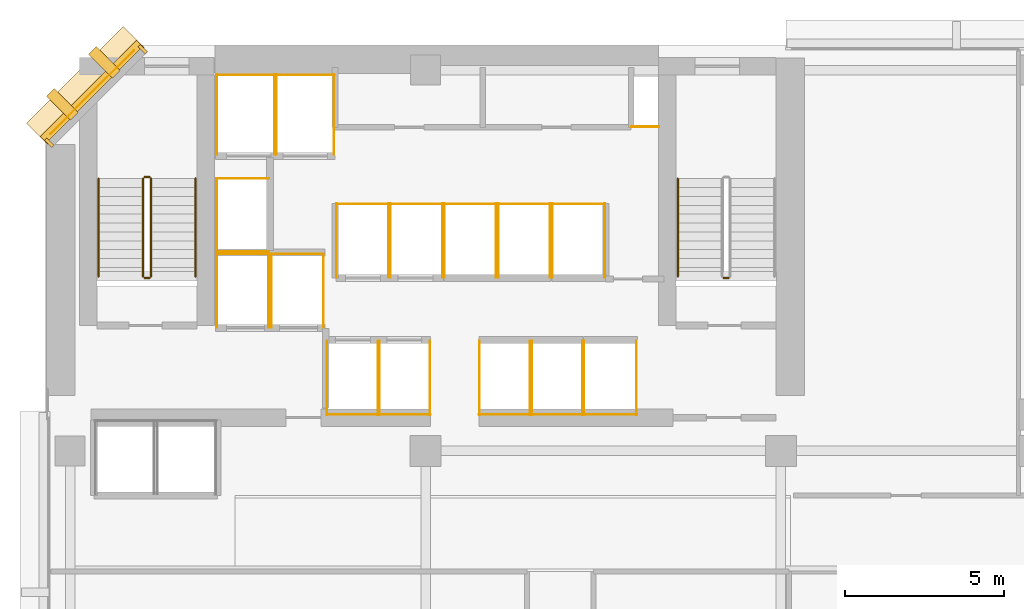
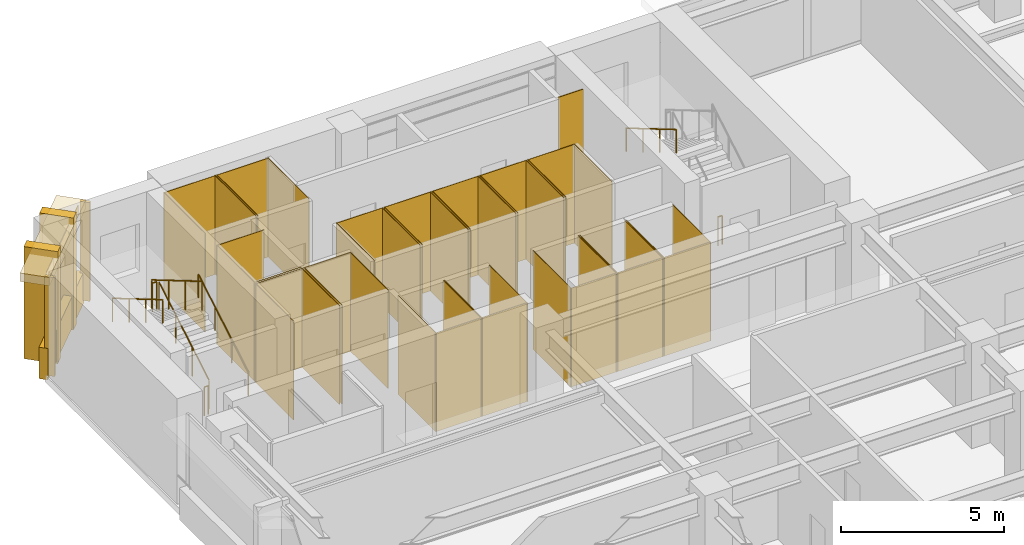
# One storey, part 11 of 13: 53 coverings, 8 railings.
"""IFC4 building model written with IfcOpenShell, lengths in metres."""

from ifc_helpers import new_model, si_unit, direction, frame, origin, origin_2d, place, context, subcontext, project, spatial, polyline, rectangle, circle, outline, extrude, material, layer, layer_set, type_object, element, save


model = new_model("IFC4")

# Units and contexts
model_context = context("Model", 3, precision=1e-05, world=origin(), true_north=direction((0.0, 1.0)))
body_context = subcontext(model_context, "Body", "Model", "MODEL_VIEW")
ifc_project = project(units=[si_unit("LENGTHUNIT", "METRE"), si_unit("AREAUNIT", "SQUARE_METRE"), si_unit("VOLUMEUNIT", "CUBIC_METRE"), si_unit("PLANEANGLEUNIT", "RADIAN"), si_unit("MASSUNIT", "GRAM", prefix="KILO")], contexts=[model_context])

# Site, building, storey
site_placement = place(None, origin())
site = spatial("IfcSite", under=ifc_project, at=site_placement, CompositionType="ELEMENT")
building_placement = place(site_placement, origin())
building = spatial("IfcBuilding", under=site, at=building_placement, Name="Kefirva Bronze Tower", CompositionType="ELEMENT")
storey_placement = place(building_placement, frame((0.0, 0.0, 62.0400390625)))
storey = spatial("IfcBuildingStorey", under=building, at=storey_placement, Name="L14", CompositionType="ELEMENT", Elevation=62.0400390625)

# Coverings
ifc_material_1 = material(Name="Bronze anodised aluminium", Category="aluminium")
ifc_layer_1 = layer(ifc_material_1, 0.02001953125, Name="Bronze anodised aluminium")
ifc_layer_set_1 = layer_set([ifc_layer_1], Name="Bronze anodised aluminium")
covering_type_1 = type_object("IfcCoveringType", Name="Anodised Bronze Spandrel Cladding 20mm", PredefinedType="CLADDING", material=ifc_layer_set_1)
covering_1_placement = place(storey_placement, frame((1.492919921875, 44.507080078125, 3.2900390625), z_axis=(0.0, 0.0, 1.0), x_axis=(-0.707106781187, -0.707106781187, 0.0)))
element("IfcCovering", 1, at=covering_1_placement, inside=storey, type_object=covering_type_1, Name="L14 Bronze Spandrel Cladding 6", PredefinedType="CLADDING", context=body_context, shape_type="SweptSolid", body=[
    extrude(rectangle(XDim=3.719482421875, YDim=0.02001953125, at=origin_2d()), origin(), (0.0, 0.0, 1.0), 0.39990234375),
])
for number, where, z_axis, x_axis, name in (
    (2, (3.08837890625, 45.862060546875, 0.0), (0.0, 0.0, 1.0), (-0.707106781187, -0.707106781187, 0.0), "L14 Facade Joint Closure Panel 6S"),
    (3, (0.137939453125, 42.91162109375, 0.0), (0.0, 0.0, 1.0), (-0.707106781187, -0.707106781187, 0.0), "L14 Facade Joint Closure Panel 6E"),
):
    element("IfcCovering", number, at=place(storey_placement, frame(where, z_axis=z_axis, x_axis=x_axis)), inside=storey, type_object=covering_type_1, Name=name, PredefinedType="CLADDING", context=body_context, shape_type="SweptSolid", body=[
        extrude(rectangle(XDim=0.10009765625, YDim=0.320068359375, at=origin_2d()), origin(), (0.0, 0.0, 1.0), 3.7099609375),
    ])
covering_2_placement = place(storey_placement, frame((1.4716796875, 44.5283203125, -0.16015625), z_axis=(0.0, 0.0, 1.0), x_axis=(-0.707106781187, -0.707106781187, 0.0)))
element("IfcCovering", 4, at=covering_2_placement, inside=storey, type_object=covering_type_1, Name="L14 Streamline Horizontal Spandrel Band 9", PredefinedType="CLADDING", context=body_context, shape_type="SweptSolid", body=[
    extrude(rectangle(XDim=4.28271484375, YDim=0.280029296875, at=origin_2d()), origin(), (0.0, 0.0, 1.0), 1.179931640625),
])
covering_3_placement = place(storey_placement, origin())
element("IfcCovering", 5, at=covering_3_placement, inside=storey, type_object=covering_type_1, Name="L14 Lift FF1 Hoistway Liner N", PredefinedType="CLADDING", context=body_context, shape_type="SweptSolid", body=[
    extrude(outline(polyline([(5.39990234375, 39.389892578125), (7.080078125, 39.389892578125), (7.080078125, 39.409912109375), (5.39990234375, 39.409912109375), (5.39990234375, 39.389892578125)])), origin(), (0.0, 0.0, 1.0), 3.7099609375),
])
covering_4_placement = place(storey_placement, origin())
element("IfcCovering", 6, at=covering_4_placement, inside=storey, type_object=covering_type_1, Name="L14 Lift FF1 Hoistway Liner W", PredefinedType="CLADDING", context=body_context, shape_type="SweptSolid", body=[
    extrude(outline(polyline([(5.409912109375, 37.080078125), (5.429931640625, 37.080078125), (5.429931640625, 39.419921875), (5.409912109375, 39.419921875), (5.409912109375, 37.080078125)])), origin(), (0.0, 0.0, 1.0), 3.7099609375),
])
covering_5_placement = place(storey_placement, origin())
element("IfcCovering", 7, at=covering_5_placement, inside=storey, type_object=covering_type_1, Name="L14 Lift FF1 Hoistway Liner E", PredefinedType="CLADDING", context=body_context, shape_type="SweptSolid", body=[
    extrude(outline(polyline([(7.050048828125, 37.080078125), (7.070068359375, 37.080078125), (7.070068359375, 39.419921875), (7.050048828125, 39.419921875), (7.050048828125, 37.080078125)])), origin(), (0.0, 0.0, 1.0), 3.7099609375),
])
covering_6_placement = place(storey_placement, origin())
element("IfcCovering", 8, at=covering_6_placement, inside=storey, type_object=covering_type_1, Name="L14 Lift FF2 Hoistway Liner N", PredefinedType="CLADDING", context=body_context, shape_type="SweptSolid", body=[
    extrude(outline(polyline([(7.1201171875, 39.389892578125), (8.800048828125, 39.389892578125), (8.800048828125, 39.409912109375), (7.1201171875, 39.409912109375), (7.1201171875, 39.389892578125)])), origin(), (0.0, 0.0, 1.0), 3.7099609375),
])
covering_7_placement = place(storey_placement, origin())
element("IfcCovering", 9, at=covering_7_placement, inside=storey, type_object=covering_type_1, Name="L14 Lift FF2 Hoistway Liner W", PredefinedType="CLADDING", context=body_context, shape_type="SweptSolid", body=[
    extrude(outline(polyline([(7.1298828125, 37.080078125), (7.14990234375, 37.080078125), (7.14990234375, 39.419921875), (7.1298828125, 39.419921875), (7.1298828125, 37.080078125)])), origin(), (0.0, 0.0, 1.0), 3.7099609375),
])
covering_8_placement = place(storey_placement, origin())
element("IfcCovering", 10, at=covering_8_placement, inside=storey, type_object=covering_type_1, Name="L14 Lift FF2 Hoistway Liner E", PredefinedType="CLADDING", context=body_context, shape_type="SweptSolid", body=[
    extrude(outline(polyline([(8.77001953125, 37.080078125), (8.7900390625, 37.080078125), (8.7900390625, 39.419921875), (8.77001953125, 39.419921875), (8.77001953125, 37.080078125)])), origin(), (0.0, 0.0, 1.0), 3.7099609375),
])
covering_9_placement = place(storey_placement, origin())
element("IfcCovering", 11, at=covering_9_placement, inside=storey, type_object=covering_type_1, Name="L14 Lift SV1 Hoistway Liner N", PredefinedType="CLADDING", context=body_context, shape_type="SweptSolid", body=[
    extrude(outline(polyline([(5.39990234375, 45.0400390625), (7.260009765625, 45.0400390625), (7.260009765625, 45.06005859375), (5.39990234375, 45.06005859375), (5.39990234375, 45.0400390625)])), origin(), (0.0, 0.0, 1.0), 3.7099609375),
])
covering_10_placement = place(storey_placement, origin())
element("IfcCovering", 12, at=covering_10_placement, inside=storey, type_object=covering_type_1, Name="L14 Lift SV1 Hoistway Liner W", PredefinedType="CLADDING", context=body_context, shape_type="SweptSolid", body=[
    extrude(outline(polyline([(5.409912109375, 42.530029296875), (5.429931640625, 42.530029296875), (5.429931640625, 45.070068359375), (5.409912109375, 45.070068359375), (5.409912109375, 42.530029296875)])), origin(), (0.0, 0.0, 1.0), 3.7099609375),
])
covering_11_placement = place(storey_placement, origin())
element("IfcCovering", 13, at=covering_11_placement, inside=storey, type_object=covering_type_1, Name="L14 Lift SV1 Hoistway Liner E", PredefinedType="CLADDING", context=body_context, shape_type="SweptSolid", body=[
    extrude(outline(polyline([(7.22998046875, 42.530029296875), (7.25, 42.530029296875), (7.25, 45.070068359375), (7.22998046875, 45.070068359375), (7.22998046875, 42.530029296875)])), origin(), (0.0, 0.0, 1.0), 3.7099609375),
])
covering_12_placement = place(storey_placement, origin())
element("IfcCovering", 14, at=covering_12_placement, inside=storey, type_object=covering_type_1, Name="L14 Lift SV2 Hoistway Liner N", PredefinedType="CLADDING", context=body_context, shape_type="SweptSolid", body=[
    extrude(outline(polyline([(7.280029296875, 45.0400390625), (9.139892578125, 45.0400390625), (9.139892578125, 45.06005859375), (7.280029296875, 45.06005859375), (7.280029296875, 45.0400390625)])), origin(), (0.0, 0.0, 1.0), 3.7099609375),
])
covering_13_placement = place(storey_placement, origin())
element("IfcCovering", 15, at=covering_13_placement, inside=storey, type_object=covering_type_1, Name="L14 Lift SV2 Hoistway Liner W", PredefinedType="CLADDING", context=body_context, shape_type="SweptSolid", body=[
    extrude(outline(polyline([(7.2900390625, 42.530029296875), (7.31005859375, 42.530029296875), (7.31005859375, 45.070068359375), (7.2900390625, 45.070068359375), (7.2900390625, 42.530029296875)])), origin(), (0.0, 0.0, 1.0), 3.7099609375),
])
covering_14_placement = place(storey_placement, origin())
element("IfcCovering", 16, at=covering_14_placement, inside=storey, type_object=covering_type_1, Name="L14 Lift SV2 Hoistway Liner E", PredefinedType="CLADDING", context=body_context, shape_type="SweptSolid", body=[
    extrude(outline(polyline([(9.110107421875, 42.530029296875), (9.1298828125, 42.530029296875), (9.1298828125, 45.070068359375), (9.110107421875, 45.070068359375), (9.110107421875, 42.530029296875)])), origin(), (0.0, 0.0, 1.0), 3.7099609375),
])
covering_15_placement = place(storey_placement, origin())
element("IfcCovering", 17, at=covering_15_placement, inside=storey, type_object=covering_type_1, Name="L14 Lift LP1 Hoistway Liner S", PredefinedType="CLADDING", context=body_context, shape_type="SweptSolid", body=[
    extrude(outline(polyline([(8.8798828125, 34.340087890625), (10.52001953125, 34.340087890625), (10.52001953125, 34.360107421875), (8.8798828125, 34.360107421875), (8.8798828125, 34.340087890625)])), origin(), (0.0, 0.0, 1.0), 3.7099609375),
])
covering_16_placement = place(storey_placement, origin())
element("IfcCovering", 18, at=covering_16_placement, inside=storey, type_object=covering_type_1, Name="L14 Lift LP1 Hoistway Liner W", PredefinedType="CLADDING", context=body_context, shape_type="SweptSolid", body=[
    extrude(outline(polyline([(8.889892578125, 34.330078125), (8.909912109375, 34.330078125), (8.909912109375, 36.669921875), (8.889892578125, 36.669921875), (8.889892578125, 34.330078125)])), origin(), (0.0, 0.0, 1.0), 3.7099609375),
])
covering_17_placement = place(storey_placement, origin())
element("IfcCovering", 19, at=covering_17_placement, inside=storey, type_object=covering_type_1, Name="L14 Lift LP1 Hoistway Liner E", PredefinedType="CLADDING", context=body_context, shape_type="SweptSolid", body=[
    extrude(outline(polyline([(10.489990234375, 34.330078125), (10.510009765625, 34.330078125), (10.510009765625, 36.669921875), (10.489990234375, 36.669921875), (10.489990234375, 34.330078125)])), origin(), (0.0, 0.0, 1.0), 3.7099609375),
])
covering_18_placement = place(storey_placement, origin())
element("IfcCovering", 20, at=covering_18_placement, inside=storey, type_object=covering_type_1, Name="L14 Lift LP2 Hoistway Liner S", PredefinedType="CLADDING", context=body_context, shape_type="SweptSolid", body=[
    extrude(outline(polyline([(10.52001953125, 34.340087890625), (12.159912109375, 34.340087890625), (12.159912109375, 34.360107421875), (10.52001953125, 34.360107421875), (10.52001953125, 34.340087890625)])), origin(), (0.0, 0.0, 1.0), 3.7099609375),
])
covering_19_placement = place(storey_placement, origin())
element("IfcCovering", 21, at=covering_19_placement, inside=storey, type_object=covering_type_1, Name="L14 Lift LP2 Hoistway Liner W", PredefinedType="CLADDING", context=body_context, shape_type="SweptSolid", body=[
    extrude(outline(polyline([(10.530029296875, 34.330078125), (10.550048828125, 34.330078125), (10.550048828125, 36.669921875), (10.530029296875, 36.669921875), (10.530029296875, 34.330078125)])), origin(), (0.0, 0.0, 1.0), 3.7099609375),
])
covering_20_placement = place(storey_placement, origin())
element("IfcCovering", 22, at=covering_20_placement, inside=storey, type_object=covering_type_1, Name="L14 Lift LP2 Hoistway Liner E", PredefinedType="CLADDING", context=body_context, shape_type="SweptSolid", body=[
    extrude(outline(polyline([(12.1298828125, 34.330078125), (12.14990234375, 34.330078125), (12.14990234375, 36.669921875), (12.1298828125, 36.669921875), (12.1298828125, 34.330078125)])), origin(), (0.0, 0.0, 1.0), 3.7099609375),
])
covering_21_placement = place(storey_placement, origin())
element("IfcCovering", 23, at=covering_21_placement, inside=storey, type_object=covering_type_1, Name="L14 Lift LP3 Hoistway Liner N", PredefinedType="CLADDING", context=body_context, shape_type="SweptSolid", body=[
    extrude(outline(polyline([(9.179931640625, 40.969970703125), (10.85009765625, 40.969970703125), (10.85009765625, 40.989990234375), (9.179931640625, 40.989990234375), (9.179931640625, 40.969970703125)])), origin(), (0.0, 0.0, 1.0), 3.7099609375),
])
covering_22_placement = place(storey_placement, origin())
element("IfcCovering", 24, at=covering_22_placement, inside=storey, type_object=covering_type_1, Name="L14 Lift LP3 Hoistway Liner W", PredefinedType="CLADDING", context=body_context, shape_type="SweptSolid", body=[
    extrude(outline(polyline([(9.18994140625, 38.659912109375), (9.2099609375, 38.659912109375), (9.2099609375, 41.0), (9.18994140625, 41.0), (9.18994140625, 38.659912109375)])), origin(), (0.0, 0.0, 1.0), 3.7099609375),
])
covering_23_placement = place(storey_placement, origin())
element("IfcCovering", 25, at=covering_23_placement, inside=storey, type_object=covering_type_1, Name="L14 Lift LP3 Hoistway Liner E", PredefinedType="CLADDING", context=body_context, shape_type="SweptSolid", body=[
    extrude(outline(polyline([(10.820068359375, 38.659912109375), (10.840087890625, 38.659912109375), (10.840087890625, 41.0), (10.820068359375, 41.0), (10.820068359375, 38.659912109375)])), origin(), (0.0, 0.0, 1.0), 3.7099609375),
])
covering_24_placement = place(storey_placement, origin())
element("IfcCovering", 26, at=covering_24_placement, inside=storey, type_object=covering_type_1, Name="L14 Lift LP4 Hoistway Liner N", PredefinedType="CLADDING", context=body_context, shape_type="SweptSolid", body=[
    extrude(outline(polyline([(10.8798828125, 40.969970703125), (12.550048828125, 40.969970703125), (12.550048828125, 40.989990234375), (10.8798828125, 40.989990234375), (10.8798828125, 40.969970703125)])), origin(), (0.0, 0.0, 1.0), 3.7099609375),
])
covering_25_placement = place(storey_placement, origin())
element("IfcCovering", 27, at=covering_25_placement, inside=storey, type_object=covering_type_1, Name="L14 Lift LP4 Hoistway Liner W", PredefinedType="CLADDING", context=body_context, shape_type="SweptSolid", body=[
    extrude(outline(polyline([(10.889892578125, 38.659912109375), (10.909912109375, 38.659912109375), (10.909912109375, 41.0), (10.889892578125, 41.0), (10.889892578125, 38.659912109375)])), origin(), (0.0, 0.0, 1.0), 3.7099609375),
])
covering_26_placement = place(storey_placement, origin())
element("IfcCovering", 28, at=covering_26_placement, inside=storey, type_object=covering_type_1, Name="L14 Lift LP4 Hoistway Liner E", PredefinedType="CLADDING", context=body_context, shape_type="SweptSolid", body=[
    extrude(outline(polyline([(12.52001953125, 38.659912109375), (12.5400390625, 38.659912109375), (12.5400390625, 41.0), (12.52001953125, 41.0), (12.52001953125, 38.659912109375)])), origin(), (0.0, 0.0, 1.0), 3.7099609375),
])
covering_27_placement = place(storey_placement, origin())
element("IfcCovering", 29, at=covering_27_placement, inside=storey, type_object=covering_type_1, Name="L14 Lift MP1 Hoistway Liner S", PredefinedType="CLADDING", context=body_context, shape_type="SweptSolid", body=[
    extrude(outline(polyline([(13.679931640625, 34.340087890625), (15.320068359375, 34.340087890625), (15.320068359375, 34.360107421875), (13.679931640625, 34.360107421875), (13.679931640625, 34.340087890625)])), origin(), (0.0, 0.0, 1.0), 3.7099609375),
])
covering_28_placement = place(storey_placement, origin())
element("IfcCovering", 30, at=covering_28_placement, inside=storey, type_object=covering_type_1, Name="L14 Lift MP1 Hoistway Liner W", PredefinedType="CLADDING", context=body_context, shape_type="SweptSolid", body=[
    extrude(outline(polyline([(13.68994140625, 34.330078125), (13.7099609375, 34.330078125), (13.7099609375, 36.669921875), (13.68994140625, 36.669921875), (13.68994140625, 34.330078125)])), origin(), (0.0, 0.0, 1.0), 3.7099609375),
])
covering_29_placement = place(storey_placement, origin())
element("IfcCovering", 31, at=covering_29_placement, inside=storey, type_object=covering_type_1, Name="L14 Lift MP1 Hoistway Liner E", PredefinedType="CLADDING", context=body_context, shape_type="SweptSolid", body=[
    extrude(outline(polyline([(15.2900390625, 34.330078125), (15.31005859375, 34.330078125), (15.31005859375, 36.669921875), (15.2900390625, 36.669921875), (15.2900390625, 34.330078125)])), origin(), (0.0, 0.0, 1.0), 3.7099609375),
])
covering_30_placement = place(storey_placement, origin())
element("IfcCovering", 32, at=covering_30_placement, inside=storey, type_object=covering_type_1, Name="L14 Lift MP2 Hoistway Liner S", PredefinedType="CLADDING", context=body_context, shape_type="SweptSolid", body=[
    extrude(outline(polyline([(15.330078125, 34.340087890625), (16.969970703125, 34.340087890625), (16.969970703125, 34.360107421875), (15.330078125, 34.360107421875), (15.330078125, 34.340087890625)])), origin(), (0.0, 0.0, 1.0), 3.7099609375),
])
covering_31_placement = place(storey_placement, origin())
element("IfcCovering", 33, at=covering_31_placement, inside=storey, type_object=covering_type_1, Name="L14 Lift MP2 Hoistway Liner W", PredefinedType="CLADDING", context=body_context, shape_type="SweptSolid", body=[
    extrude(outline(polyline([(15.340087890625, 34.330078125), (15.360107421875, 34.330078125), (15.360107421875, 36.669921875), (15.340087890625, 36.669921875), (15.340087890625, 34.330078125)])), origin(), (0.0, 0.0, 1.0), 3.7099609375),
])
covering_32_placement = place(storey_placement, origin())
element("IfcCovering", 34, at=covering_32_placement, inside=storey, type_object=covering_type_1, Name="L14 Lift MP2 Hoistway Liner E", PredefinedType="CLADDING", context=body_context, shape_type="SweptSolid", body=[
    extrude(outline(polyline([(16.93994140625, 34.330078125), (16.9599609375, 34.330078125), (16.9599609375, 36.669921875), (16.93994140625, 36.669921875), (16.93994140625, 34.330078125)])), origin(), (0.0, 0.0, 1.0), 3.7099609375),
])
covering_33_placement = place(storey_placement, origin())
element("IfcCovering", 35, at=covering_33_placement, inside=storey, type_object=covering_type_1, Name="L14 Lift MP3 Hoistway Liner N", PredefinedType="CLADDING", context=body_context, shape_type="SweptSolid", body=[
    extrude(outline(polyline([(12.580078125, 40.969970703125), (14.25, 40.969970703125), (14.25, 40.989990234375), (12.580078125, 40.989990234375), (12.580078125, 40.969970703125)])), origin(), (0.0, 0.0, 1.0), 3.7099609375),
])
covering_34_placement = place(storey_placement, origin())
element("IfcCovering", 36, at=covering_34_placement, inside=storey, type_object=covering_type_1, Name="L14 Lift MP3 Hoistway Liner W", PredefinedType="CLADDING", context=body_context, shape_type="SweptSolid", body=[
    extrude(outline(polyline([(12.590087890625, 38.659912109375), (12.610107421875, 38.659912109375), (12.610107421875, 41.0), (12.590087890625, 41.0), (12.590087890625, 38.659912109375)])), origin(), (0.0, 0.0, 1.0), 3.7099609375),
])
covering_35_placement = place(storey_placement, origin())
element("IfcCovering", 37, at=covering_35_placement, inside=storey, type_object=covering_type_1, Name="L14 Lift MP3 Hoistway Liner E", PredefinedType="CLADDING", context=body_context, shape_type="SweptSolid", body=[
    extrude(outline(polyline([(14.219970703125, 38.659912109375), (14.239990234375, 38.659912109375), (14.239990234375, 41.0), (14.219970703125, 41.0), (14.219970703125, 38.659912109375)])), origin(), (0.0, 0.0, 1.0), 3.7099609375),
])
covering_36_placement = place(storey_placement, origin())
element("IfcCovering", 38, at=covering_36_placement, inside=storey, type_object=covering_type_1, Name="L14 Lift MP4 Hoistway Liner N", PredefinedType="CLADDING", context=body_context, shape_type="SweptSolid", body=[
    extrude(outline(polyline([(14.280029296875, 40.969970703125), (15.949951171875, 40.969970703125), (15.949951171875, 40.989990234375), (14.280029296875, 40.989990234375), (14.280029296875, 40.969970703125)])), origin(), (0.0, 0.0, 1.0), 3.7099609375),
])
covering_37_placement = place(storey_placement, origin())
element("IfcCovering", 39, at=covering_37_placement, inside=storey, type_object=covering_type_1, Name="L14 Lift MP4 Hoistway Liner W", PredefinedType="CLADDING", context=body_context, shape_type="SweptSolid", body=[
    extrude(outline(polyline([(14.2900390625, 38.659912109375), (14.31005859375, 38.659912109375), (14.31005859375, 41.0), (14.2900390625, 41.0), (14.2900390625, 38.659912109375)])), origin(), (0.0, 0.0, 1.0), 3.7099609375),
])
covering_38_placement = place(storey_placement, origin())
element("IfcCovering", 40, at=covering_38_placement, inside=storey, type_object=covering_type_1, Name="L14 Lift MP4 Hoistway Liner E", PredefinedType="CLADDING", context=body_context, shape_type="SweptSolid", body=[
    extrude(outline(polyline([(15.919921875, 38.659912109375), (15.93994140625, 38.659912109375), (15.93994140625, 41.0), (15.919921875, 41.0), (15.919921875, 38.659912109375)])), origin(), (0.0, 0.0, 1.0), 3.7099609375),
])
covering_39_placement = place(storey_placement, origin())
element("IfcCovering", 41, at=covering_39_placement, inside=storey, type_object=covering_type_1, Name="L14 Lift HP1 Hoistway Liner S", PredefinedType="CLADDING", context=body_context, shape_type="SweptSolid", body=[
    extrude(outline(polyline([(16.97998046875, 34.340087890625), (18.669921875, 34.340087890625), (18.669921875, 34.360107421875), (16.97998046875, 34.360107421875), (16.97998046875, 34.340087890625)])), origin(), (0.0, 0.0, 1.0), 3.7099609375),
])
covering_40_placement = place(storey_placement, origin())
element("IfcCovering", 42, at=covering_40_placement, inside=storey, type_object=covering_type_1, Name="L14 Lift HP1 Hoistway Liner W", PredefinedType="CLADDING", context=body_context, shape_type="SweptSolid", body=[
    extrude(outline(polyline([(16.989990234375, 34.330078125), (17.010009765625, 34.330078125), (17.010009765625, 36.669921875), (16.989990234375, 36.669921875), (16.989990234375, 34.330078125)])), origin(), (0.0, 0.0, 1.0), 3.7099609375),
])
covering_41_placement = place(storey_placement, origin())
element("IfcCovering", 43, at=covering_41_placement, inside=storey, type_object=covering_type_1, Name="L14 Lift HP1 Hoistway Liner E", PredefinedType="CLADDING", context=body_context, shape_type="SweptSolid", body=[
    extrude(outline(polyline([(18.639892578125, 34.330078125), (18.659912109375, 34.330078125), (18.659912109375, 36.669921875), (18.639892578125, 36.669921875), (18.639892578125, 34.330078125)])), origin(), (0.0, 0.0, 1.0), 3.7099609375),
])
covering_42_placement = place(storey_placement, origin())
element("IfcCovering", 44, at=covering_42_placement, inside=storey, type_object=covering_type_1, Name="L14 Lift HP2 Hoistway Liner N", PredefinedType="CLADDING", context=body_context, shape_type="SweptSolid", body=[
    extrude(outline(polyline([(15.97998046875, 40.969970703125), (17.669921875, 40.969970703125), (17.669921875, 40.989990234375), (15.97998046875, 40.989990234375), (15.97998046875, 40.969970703125)])), origin(), (0.0, 0.0, 1.0), 3.7099609375),
])
covering_43_placement = place(storey_placement, origin())
element("IfcCovering", 45, at=covering_43_placement, inside=storey, type_object=covering_type_1, Name="L14 Lift HP2 Hoistway Liner W", PredefinedType="CLADDING", context=body_context, shape_type="SweptSolid", body=[
    extrude(outline(polyline([(15.989990234375, 38.659912109375), (16.010009765625, 38.659912109375), (16.010009765625, 41.0), (15.989990234375, 41.0), (15.989990234375, 38.659912109375)])), origin(), (0.0, 0.0, 1.0), 3.7099609375),
])
covering_44_placement = place(storey_placement, origin())
element("IfcCovering", 46, at=covering_44_placement, inside=storey, type_object=covering_type_1, Name="L14 Lift HP2 Hoistway Liner E", PredefinedType="CLADDING", context=body_context, shape_type="SweptSolid", body=[
    extrude(outline(polyline([(17.639892578125, 38.659912109375), (17.659912109375, 38.659912109375), (17.659912109375, 41.0), (17.639892578125, 41.0), (17.639892578125, 38.659912109375)])), origin(), (0.0, 0.0, 1.0), 3.7099609375),
])
covering_45_placement = place(storey_placement, origin())
element("IfcCovering", 47, at=covering_45_placement, inside=storey, type_object=covering_type_1, Name="L14 Lift HP3 Hoistway Liner N", PredefinedType="CLADDING", context=body_context, shape_type="SweptSolid", body=[
    extrude(outline(polyline([(5.39990234375, 41.77001953125), (7.080078125, 41.77001953125), (7.080078125, 41.7900390625), (5.39990234375, 41.7900390625), (5.39990234375, 41.77001953125)])), origin(), (0.0, 0.0, 1.0), 3.7099609375),
])
covering_46_placement = place(storey_placement, origin())
element("IfcCovering", 48, at=covering_46_placement, inside=storey, type_object=covering_type_1, Name="L14 Lift HP3 Hoistway Liner S", PredefinedType="CLADDING", context=body_context, shape_type="SweptSolid", body=[
    extrude(outline(polyline([(5.39990234375, 39.469970703125), (7.080078125, 39.469970703125), (7.080078125, 39.489990234375), (5.39990234375, 39.489990234375), (5.39990234375, 39.469970703125)])), origin(), (0.0, 0.0, 1.0), 3.7099609375),
])
covering_47_placement = place(storey_placement, origin())
element("IfcCovering", 49, at=covering_47_placement, inside=storey, type_object=covering_type_1, Name="L14 Lift HP3 Hoistway Liner W", PredefinedType="CLADDING", context=body_context, shape_type="SweptSolid", body=[
    extrude(outline(polyline([(5.409912109375, 39.4599609375), (5.429931640625, 39.4599609375), (5.429931640625, 41.800048828125), (5.409912109375, 41.800048828125), (5.409912109375, 39.4599609375)])), origin(), (0.0, 0.0, 1.0), 3.7099609375),
])
covering_48_placement = place(storey_placement, origin())
element("IfcCovering", 50, at=covering_48_placement, inside=storey, type_object=covering_type_1, Name="L14 Core MEP Riser Shaft Liner South", PredefinedType="CLADDING", context=body_context, shape_type="SweptSolid", body=[
    extrude(outline(polyline([(18.47998046875, 43.39990234375), (19.360107421875, 43.39990234375), (19.360107421875, 43.429931640625), (18.47998046875, 43.429931640625), (18.47998046875, 43.39990234375)])), origin(), (0.0, 0.0, 1.0), 3.7099609375),
])

# Railings
ifc_material_2 = material(Name="Stainless steel 316", Category="steel")
railing_type_1 = type_object("IfcRailingType", Name="Interior Stair Guardrail 1100mm", PredefinedType="GUARDRAIL", material=ifc_material_2)
railing_1_placement = place(storey_placement, frame((3.35009765625, 38.699951171875, 0.1650390625)))
element("IfcRailing", 51, at=railing_1_placement, inside=storey, type_object=railing_type_1, Name="L14 ST-1 stair guard 1", PredefinedType="GUARDRAIL", context=body_context, shape_type="SweptSolid", body=[
    extrude(circle(Radius=0.02392578125, at=origin_2d()), frame((0.0, 0.0, 1.076171875), z_axis=(0.0, 0.861551262678, 0.507670583921), x_axis=(-1.0, 0.0, 0.0)), (0.0, 0.0, 1.0), 3.574951171875),
    extrude(circle(Radius=0.02099609375, at=origin_2d()), origin(), (0.0, 0.0, 1.0), 1.052001953125),
    extrude(circle(Radius=0.02099609375, at=origin_2d()), frame((0.0, 1.026611328125, 0.60498046875)), (0.0, 0.0, 1.0), 1.052001953125),
    extrude(circle(Radius=0.02099609375, at=origin_2d()), frame((0.0, 2.053466796875, 1.2099609375)), (0.0, 0.0, 1.0), 1.052001953125),
    extrude(circle(Radius=0.02099609375, at=origin_2d()), frame((0.0, 3.080078125, 1.81494140625)), (0.0, 0.0, 1.0), 1.052001953125),
])
railing_2_placement = place(storey_placement, frame((3.300048828125, 41.830078125, 1.97998046875)))
element("IfcRailing", 52, at=railing_2_placement, inside=storey, type_object=railing_type_1, Name="L14 ST-1 stair guard 2", PredefinedType="GUARDRAIL", context=body_context, shape_type="SweptSolid", body=[
    extrude(circle(Radius=0.02392578125, at=origin_2d()), frame((0.0, 0.0, 1.076171875), z_axis=(-1.0, 0.0, 0.0), x_axis=(0.0, -1.0, 0.0)), (0.0, 0.0, 1.0), 0.150146484375),
    extrude(circle(Radius=0.02099609375, at=origin_2d()), origin(), (0.0, 0.0, 1.0), 1.052001953125),
    extrude(circle(Radius=0.02099609375, at=origin_2d()), frame((-0.150146484375, 0.0, 0.0)), (0.0, 0.0, 1.0), 1.052001953125),
])
railing_3_placement = place(storey_placement, frame((3.10009765625, 41.780029296875, 2.14501953125)))
element("IfcRailing", 53, at=railing_3_placement, inside=storey, type_object=railing_type_1, Name="L14 ST-1 stair guard 3", PredefinedType="GUARDRAIL", context=body_context, shape_type="SweptSolid", body=[
    extrude(circle(Radius=0.02392578125, at=origin_2d()), frame((0.0, 0.0, 1.076171875), z_axis=(0.0, -0.861551262678, 0.507670583921), x_axis=(1.0, 0.0, 0.0)), (0.0, 0.0, 1.0), 3.574951171875),
    extrude(circle(Radius=0.02099609375, at=origin_2d()), origin(), (0.0, 0.0, 1.0), 1.052001953125),
    extrude(circle(Radius=0.02099609375, at=origin_2d()), frame((0.0, -1.026611328125, 0.60498046875)), (0.0, 0.0, 1.0), 1.052001953125),
    extrude(circle(Radius=0.02099609375, at=origin_2d()), frame((0.0, -2.053466796875, 1.2099609375)), (0.0, 0.0, 1.0), 1.052001953125),
    extrude(circle(Radius=0.02099609375, at=origin_2d()), frame((0.0, -3.080078125, 1.81494140625)), (0.0, 0.0, 1.0), 1.052001953125),
])
for number, where, name in (
    (54, (3.300048828125, 38.64990234375, 0.0), "L14 ST-1 stair guard 4"),
    (55, (21.550048828125, 38.64990234375, 0.0), "L14 ST-2 stair guard 4"),
):
    element("IfcRailing", number, at=place(storey_placement, frame(where)), inside=storey, type_object=railing_type_1, Name=name, PredefinedType="GUARDRAIL", context=body_context, shape_type="SweptSolid", body=[
        extrude(circle(Radius=0.02392578125, at=origin_2d()), frame((0.0, 0.0, 1.076171875), z_axis=(-1.0, 0.0, 0.0), x_axis=(0.0, -1.0, 0.0)), (0.0, 0.0, 1.0), 0.150146484375),
        extrude(circle(Radius=0.02099609375, at=origin_2d()), origin(), (0.0, 0.0, 1.0), 1.052001953125),
        extrude(circle(Radius=0.02099609375, at=origin_2d()), frame((-0.150146484375, 0.0, 0.0)), (0.0, 0.0, 1.0), 1.052001953125),
    ])
railing_type_2 = type_object("IfcRailingType", Name="Stair Pitch Handrail 900mm", PredefinedType="HANDRAIL", material=ifc_material_2)
railing_4_placement = place(storey_placement, frame((4.75, 38.699951171875, 0.1650390625)))
element("IfcRailing", 56, at=railing_4_placement, inside=storey, type_object=railing_type_2, Name="L14 ST-1 stair handrail 1", PredefinedType="HANDRAIL", context=body_context, shape_type="SweptSolid", body=[
    extrude(circle(Radius=0.02392578125, at=origin_2d()), frame((0.0, 0.0, 0.8759765625), z_axis=(0.0, 0.861551262678, 0.507670583921), x_axis=(-1.0, 0.0, 0.0)), (0.0, 0.0, 1.0), 3.574951171875),
    extrude(circle(Radius=0.02099609375, at=origin_2d()), origin(), (0.0, 0.0, 1.0), 0.851806640625),
    extrude(circle(Radius=0.02099609375, at=origin_2d()), frame((0.0, 1.026611328125, 0.60498046875)), (0.0, 0.0, 1.0), 0.851806640625),
    extrude(circle(Radius=0.02099609375, at=origin_2d()), frame((0.0, 2.053466796875, 1.2099609375)), (0.0, 0.0, 1.0), 0.851806640625),
    extrude(circle(Radius=0.02099609375, at=origin_2d()), frame((0.0, 3.080078125, 1.81494140625)), (0.0, 0.0, 1.0), 0.851806640625),
])
for number, where, name in (
    (57, (1.699951171875, 41.780029296875, 2.14501953125), "L14 ST-1 stair handrail 2"),
    (58, (19.949951171875, 41.780029296875, 2.14501953125), "L14 ST-2 stair handrail 2"),
):
    element("IfcRailing", number, at=place(storey_placement, frame(where)), inside=storey, type_object=railing_type_2, Name=name, PredefinedType="HANDRAIL", context=body_context, shape_type="SweptSolid", body=[
        extrude(circle(Radius=0.02392578125, at=origin_2d()), frame((0.0, 0.0, 0.8759765625), z_axis=(0.0, -0.861551262678, 0.507670583921), x_axis=(1.0, 0.0, 0.0)), (0.0, 0.0, 1.0), 3.574951171875),
        extrude(circle(Radius=0.02099609375, at=origin_2d()), origin(), (0.0, 0.0, 1.0), 0.851806640625),
        extrude(circle(Radius=0.02099609375, at=origin_2d()), frame((0.0, -1.026611328125, 0.60498046875)), (0.0, 0.0, 1.0), 0.851806640625),
        extrude(circle(Radius=0.02099609375, at=origin_2d()), frame((0.0, -2.053466796875, 1.2099609375)), (0.0, 0.0, 1.0), 0.851806640625),
        extrude(circle(Radius=0.02099609375, at=origin_2d()), frame((0.0, -3.080078125, 1.81494140625)), (0.0, 0.0, 1.0), 0.851806640625),
    ])

# Coverings
ifc_layer_2 = layer(ifc_material_1, 0.179931640625, Name="Bronze anodised aluminium")
ifc_layer_set_2 = layer_set([ifc_layer_2], Name="Bronze anodised aluminium")
covering_type_2 = type_object("IfcCoveringType", Name="Streamline Bronze Sunshade Eyebrow Cladding 180mm", PredefinedType="CLADDING", material=ifc_layer_set_2)
covering_49_placement = place(storey_placement, frame((1.28076171875, 44.71923828125, 3.39013671875), z_axis=(0.0, 0.0, 1.0), x_axis=(-0.707106781187, -0.707106781187, 0.0)))
element("IfcCovering", 59, at=covering_49_placement, inside=storey, type_object=covering_type_2, Name="L14 Streamline Bronze Sunshade Eyebrow 9", PredefinedType="CLADDING", context=body_context, shape_type="SweptSolid", body=[
    extrude(rectangle(XDim=4.322509765625, YDim=0.93994140625, at=origin_2d()), origin(), (0.0, 0.0, 1.0), 0.320068359375),
])
ifc_layer_3 = layer(ifc_material_1, 0.260009765625, Name="Bronze anodised aluminium")
ifc_layer_set_3 = layer_set([ifc_layer_3], Name="Bronze anodised aluminium")
covering_type_3 = type_object("IfcCoveringType", Name="Unbroken Bronze Buttress Fin Cladding 260mm", PredefinedType="CLADDING", material=ifc_layer_set_3)
for number, where, z_axis, x_axis, name in (
    (60, (1.877197265625, 45.44287109375, -0.25), (0.0, 0.0, 1.0), (-0.707106781187, -0.707106781187, 0.0), "L14 Chamfered Corner Buttress Fin Cladding 23"),
    (61, (0.55712890625, 44.122802734375, -0.25), (0.0, 0.0, 1.0), (-0.707106781187, -0.707106781187, 0.0), "L14 Chamfered Corner Buttress Fin Cladding 24"),
):
    element("IfcCovering", number, at=place(storey_placement, frame(where, z_axis=z_axis, x_axis=x_axis)), inside=storey, type_object=covering_type_3, Name=name, PredefinedType="CLADDING", context=body_context, shape_type="SweptSolid", body=[
        extrude(rectangle(XDim=0.340087890625, YDim=1.080078125, at=origin_2d()), origin(), (0.0, 0.0, 1.0), 4.2099609375),
    ])

save(model, "model.ifc")
